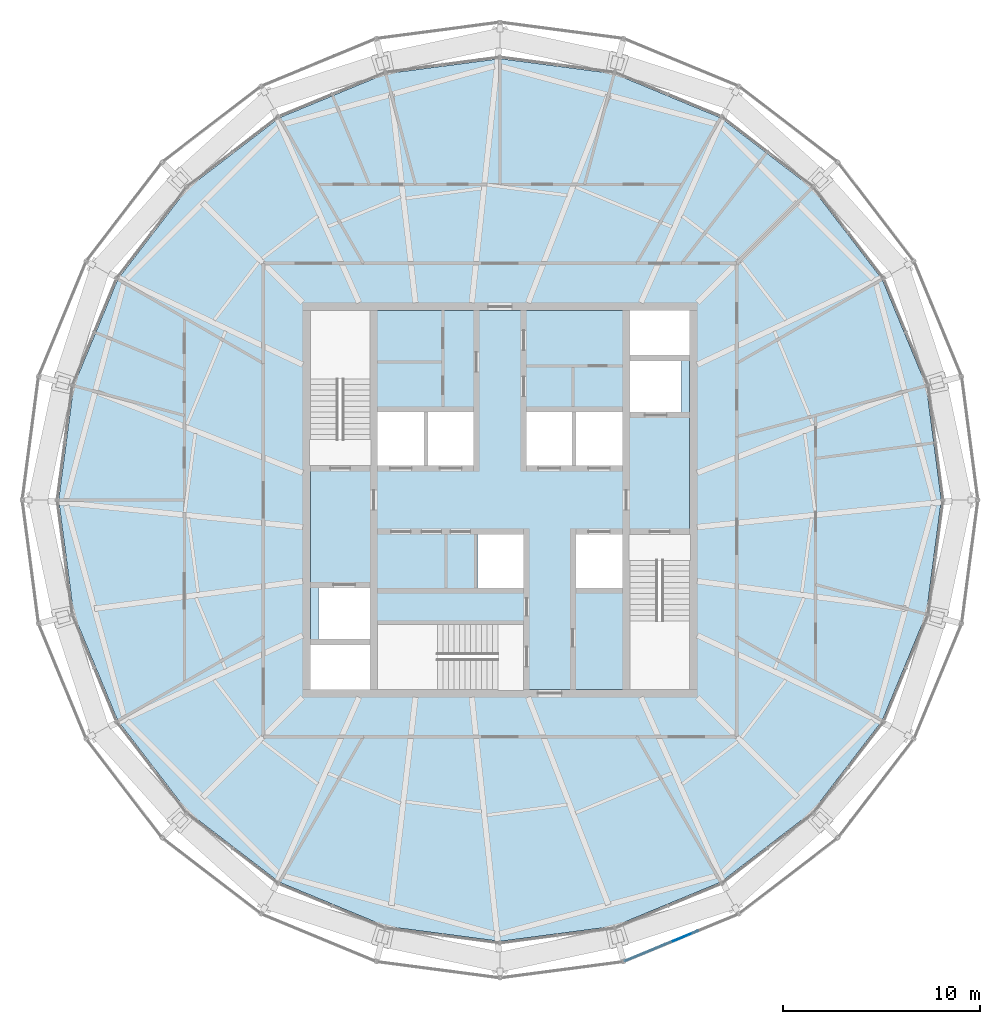
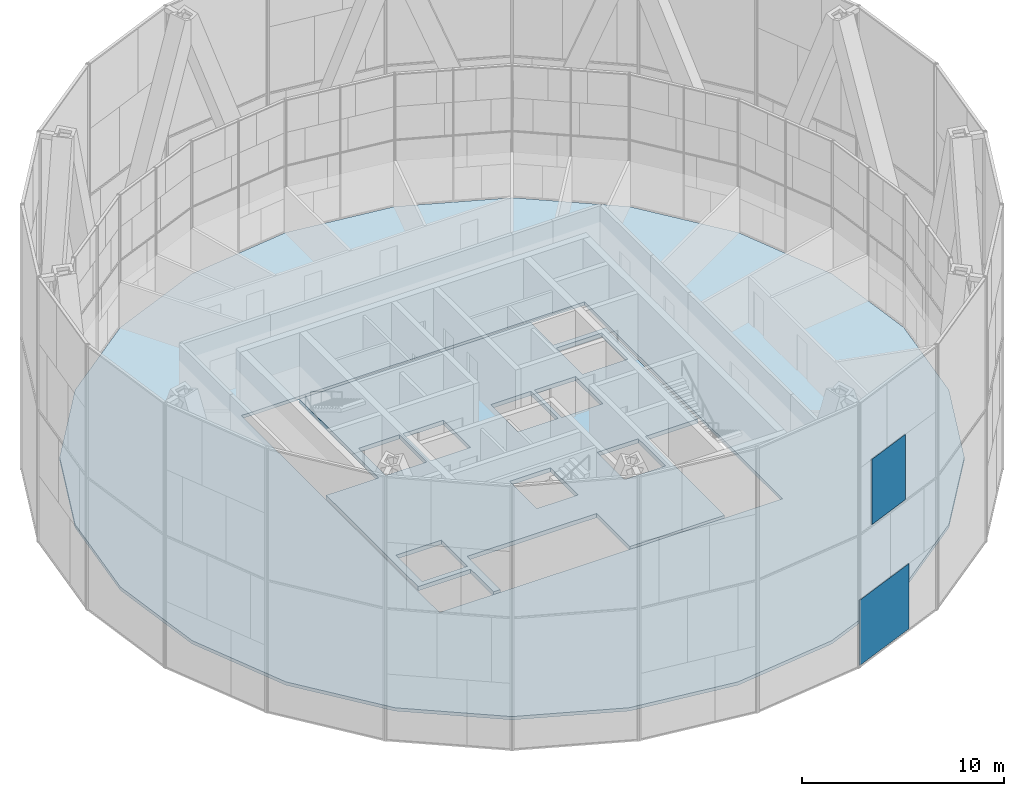
# One storey, part 12 of 22: 2 plates, 2 slabs, 1 element without a shape of its own.
"""IFC4 building model written with IfcOpenShell, lengths in metres."""

import ifcopenshell
import ifcopenshell.guid

model = None  # the IFC model being written
_history = None  # IfcOwnerHistory: only IFC2X3 demands one
_inside = {}  # id of a spatial element -> (the spatial element, [elements in it])
_under = {}  # id of a project, library or spatial element -> (it, [spatial elements below it])
_declared = {}  # id of a project -> (the project, [libraries it declares])
_typed = {}  # id of a type object -> (the type object, [elements of that type])
_made_of = {}  # id of a material, layer set ... -> (it, [elements and type objects made of it])


def new_model(schema):
    """Start an empty IFC model of exactly this schema.

    Asked for "IFC4X3", IfcOpenShell would pick the latest addendum, in which some entities
    have other attributes; the version numbers below select the first issue.
    IFC2X3 requires an IfcOwnerHistory on every rooted entity: one is made here for all.
    """
    global model, _history
    if schema == "IFC4X3":
        model = ifcopenshell.file(schema_version=(4, 3, 0, 0))
    else:
        model = ifcopenshell.file(schema=schema)
    _inside.clear()
    _under.clear()
    _declared.clear()
    _typed.clear()
    _made_of.clear()
    _history = None
    if model.schema == "IFC2X3":
        org = make("IfcOrganization", Name="unknown")
        user = make(
            "IfcPersonAndOrganization",
            ThePerson=make("IfcPerson", FamilyName="unknown"),
            TheOrganization=org,
        )
        app = make(
            "IfcApplication",
            ApplicationDeveloper=org,
            Version="unknown",
            ApplicationFullName="unknown",
            ApplicationIdentifier="unknown",
        )
        _history = make(
            "IfcOwnerHistory",
            OwningUser=user,
            OwningApplication=app,
            ChangeAction="ADDED",
            CreationDate=0,
        )
    return model


def make(cls, **values):
    """One entity of the class cls with the attributes given. An attribute that is None is left unset."""
    return model.create_entity(
        cls, **{name: value for name, value in values.items() if value is not None}
    )


def rooted(cls, **values):
    """An entity with a GlobalId (a new one), such as an element, a storey or a relation."""
    return make(cls, GlobalId=ifcopenshell.guid.new(), OwnerHistory=_history, **values)


def si_unit(unit_type, name, prefix=None):
    """IfcSIUnit, for example si_unit("LENGTHUNIT", "METRE", prefix="MILLI")."""
    return make("IfcSIUnit", UnitType=unit_type, Prefix=prefix, Name=name)


def assignment(units):
    """IfcUnitAssignment: the units of a project."""
    return None if units is None else make("IfcUnitAssignment", Units=units)


def point(xyz):
    """IfcCartesianPoint."""
    return None if xyz is None else make("IfcCartesianPoint", Coordinates=xyz)


def direction(xyz):
    """IfcDirection."""
    return None if xyz is None else make("IfcDirection", DirectionRatios=xyz)


def frame(location, z_axis=None, x_axis=None):
    """IfcAxis2Placement3D, a coordinate frame: its origin and axes. An axis left out is left unset."""
    return make(
        "IfcAxis2Placement3D",
        Location=point(location),
        Axis=direction(z_axis),
        RefDirection=direction(x_axis),
    )


def frame_2d(location, x_axis=None):
    """IfcAxis2Placement2D, a coordinate frame in the plane: its origin and x axis."""
    return make(
        "IfcAxis2Placement2D", Location=point(location), RefDirection=direction(x_axis)
    )


def origin():
    """The frame at (0, 0, 0) with its axes left unset."""
    return frame((0.0, 0.0, 0.0))


def origin_2d():
    """The frame at (0, 0) in the plane with its x axis left unset."""
    return frame_2d((0.0, 0.0))


def place(relative_to, where):
    """IfcLocalPlacement: puts the frame where relative to a parent placement (None: the world)."""
    return make(
        "IfcLocalPlacement", PlacementRelTo=relative_to, RelativePlacement=where
    )


def context(
    kind, dimensions, precision=None, world=None, true_north=None, identifier=None
):
    """IfcGeometricRepresentationContext, for example the 3D "Model" context."""
    return make(
        "IfcGeometricRepresentationContext",
        ContextIdentifier=identifier,
        ContextType=kind,
        CoordinateSpaceDimension=dimensions,
        Precision=precision,
        WorldCoordinateSystem=world,
        TrueNorth=true_north,
    )


def subcontext(parent, identifier, kind, view, scale=None):
    """IfcGeometricRepresentationSubContext, for example "Body" below "Model"."""
    return make(
        "IfcGeometricRepresentationSubContext",
        ContextIdentifier=identifier,
        ContextType=kind,
        ParentContext=parent,
        TargetScale=scale,
        TargetView=view,
    )


def project(units=None, contexts=None):
    """IfcProject with its units and contexts."""
    return rooted(
        "IfcProject",
        Name="project",
        RepresentationContexts=contexts,
        UnitsInContext=assignment(units),
    )


def spatial(cls, under=None, at=None, **own):
    """A site, building, storey or space (cls), placed at a placement, below another one or the project."""
    s = rooted(cls, ObjectPlacement=at, **own)
    if under is not None:
        _under.setdefault(under.id(), (under, []))[1].append(s)
    return s


def polyline(points):
    """IfcPolyline through the points."""
    return make("IfcPolyline", Points=[point(p) for p in points])


def profile(cls, at=None, kind="AREA", **sizes):
    """A parametric profile (cls). Its sizes go by their IFC names, for example OverallWidth=200.0."""
    return make(cls, ProfileType=kind, Position=at, **sizes)


def rectangle(**sizes):
    """IfcRectangleProfileDef."""
    return profile("IfcRectangleProfileDef", **sizes)


def outline(outer, holes=None, kind="AREA"):
    """IfcArbitraryClosedProfileDef: a profile drawn as a closed curve; with holes, ...WithVoids."""
    if holes is None:
        return make("IfcArbitraryClosedProfileDef", ProfileType=kind, OuterCurve=outer)
    return make(
        "IfcArbitraryProfileDefWithVoids",
        ProfileType=kind,
        OuterCurve=outer,
        InnerCurves=holes,
    )


def extrude(swept, where, along, depth):
    """IfcExtrudedAreaSolid: the profile swept, set in the frame where, extruded along a direction by depth."""
    return make(
        "IfcExtrudedAreaSolid",
        SweptArea=swept,
        Position=where,
        ExtrudedDirection=direction(along),
        Depth=depth,
    )


def shape(context_of_items, identifier, shape_type, items):
    """IfcShapeRepresentation: the items that make up one representation, for example the "Body"."""
    return make(
        "IfcShapeRepresentation",
        ContextOfItems=context_of_items,
        RepresentationIdentifier=identifier,
        RepresentationType=shape_type,
        Items=items,
    )


def material(Name=None, Category=None):
    """IfcMaterial."""
    return make("IfcMaterial", Name=Name, Category=Category)


def layer(
    of_material, thickness, ventilated=None, Name=None, Category=None, Priority=None
):
    """IfcMaterialLayer: one layer of a wall or slab, of a material (None: an air gap)."""
    return make(
        "IfcMaterialLayer",
        Material=of_material,
        LayerThickness=thickness,
        IsVentilated=ventilated,
        Name=Name,
        Category=Category,
        Priority=Priority,
    )


def layer_set(layers, Name=None):
    """IfcMaterialLayerSet."""
    return make("IfcMaterialLayerSet", MaterialLayers=layers, LayerSetName=Name)


def made_of(thing, what):
    """Note that an element or type object is made of a material, layer set ...; save() writes the relation."""
    if what is not None:
        _made_of.setdefault(what.id(), (what, []))[1].append(thing)
    return thing


def type_object(cls, material=None, **own):
    """A type object (cls), such as IfcWallType, which elements share."""
    return made_of(rooted(cls, **own), material)


def element(
    cls,
    number,
    at=None,
    inside=None,
    cuts=None,
    type_object=None,
    material=None,
    context=None,
    identifier="Body",
    shape_type=None,
    held_by="IfcProductDefinitionShape",
    body=None,
    shapes=None,
    **own,
):
    """One element of the class cls, such as IfcWall. Its Tag is "e" and its number.

    at: its placement. inside: the storey or other place that contains it. cuts: it is an
    opening in that element (IfcRelVoidsElement). A single representation is given by context,
    identifier, shape_type and body (its items); several are given by shapes. held_by: the class
    of the entity that holds the representations. save() writes the other relations.
    """
    e = rooted(cls, Tag="e%d" % number, ObjectPlacement=at, **own)
    if body is not None:
        shapes = [shape(context, identifier, shape_type, body)]
    if shapes is not None:
        e.Representation = make(held_by, Representations=shapes)
    if inside is not None:
        _inside.setdefault(inside.id(), (inside, []))[1].append(e)
    if cuts is not None:
        rooted(
            "IfcRelVoidsElement", RelatingBuildingElement=cuts, RelatedOpeningElement=e
        )
    if type_object is not None:
        _typed.setdefault(type_object.id(), (type_object, []))[1].append(e)
    return made_of(e, material)


def aggregate(whole, parts):
    """IfcRelAggregates: a whole, such as a stair, and the parts it consists of."""
    return rooted("IfcRelAggregates", RelatingObject=whole, RelatedObjects=parts)


def save(model, path):
    """Write the relations noted so far, then the file.

    IfcRelAggregates (storeys below a building ...), IfcRelContainedInSpatialStructure (elements
    in a storey), IfcRelDefinesByType, IfcRelAssociatesMaterial and IfcRelDeclares: one each for
    every whole, place, type object, material and project.
    """
    for whole, parts in _under.values():
        aggregate(whole, parts)
    for where, things in _inside.values():
        rooted(
            "IfcRelContainedInSpatialStructure",
            RelatedElements=things,
            RelatingStructure=where,
        )
    for kind, things in _typed.values():
        rooted("IfcRelDefinesByType", RelatedObjects=things, RelatingType=kind)
    for what, things in _made_of.values():
        rooted("IfcRelAssociatesMaterial", RelatedObjects=things, RelatingMaterial=what)
    for by, libraries in _declared.values():
        rooted("IfcRelDeclares", RelatingContext=by, RelatedDefinitions=libraries)
    model.write(path)


model = new_model("IFC4")

# Units and contexts
model_context = context("Model", 3, precision=1e-05, world=origin(), true_north=direction((0.0, 1.0)))
body_context = subcontext(model_context, "Body", "Model", "MODEL_VIEW")
ifc_project = project(units=[si_unit("LENGTHUNIT", "METRE"), si_unit("AREAUNIT", "SQUARE_METRE"), si_unit("VOLUMEUNIT", "CUBIC_METRE"), si_unit("PLANEANGLEUNIT", "RADIAN"), si_unit("MASSUNIT", "GRAM", prefix="KILO")], contexts=[model_context])

# Site, building, storey
site_placement = place(None, origin())
site = spatial("IfcSite", under=ifc_project, at=site_placement, CompositionType="ELEMENT")
building_placement = place(site_placement, origin())
building = spatial("IfcBuilding", under=site, at=building_placement, Name="Golbaran Civic Tower", CompositionType="ELEMENT")
storey_placement = place(building_placement, frame((0.0, 0.0, 248.0)))
storey = spatial("IfcBuildingStorey", under=building, at=storey_placement, Name="L60", CompositionType="ELEMENT", Elevation=248.0)

# Slabs
ifc_material_1 = material(Name="Concrete LC30/33 lightweight on steel deck", Category="concrete")
ifc_layer_1 = layer(ifc_material_1, 0.199951171875, Name="Concrete LC30/33 lightweight on steel deck")
ifc_layer_set_1 = layer_set([ifc_layer_1], Name="Concrete LC30/33 lightweight on steel deck")
slab_type_1 = type_object("IfcSlabType", Name="COMPOSITE FLOOR SLAB 200", PredefinedType="FLOOR", material=ifc_layer_set_1)
slab_1_placement = place(storey_placement, frame((0.0, 0.0, -0.199951171875)))
element("IfcSlab", 1, at=slab_1_placement, inside=storey, type_object=slab_type_1, Name="Floor slab L60", PredefinedType="FLOOR", context=body_context, shape_type="SweptSolid", body=[
    extrude(outline(polyline([(19.3740234375, -11.185546875), (15.81884765625, -15.81884765625), (11.185546875, -19.3740234375), (5.7900390625, -21.609130859375), (0.0, -22.371337890625), (-5.7900390625, -21.609130859375), (-11.185546875, -19.3740234375), (-15.81884765625, -15.81884765625), (-19.3740234375, -11.185546875), (-21.609130859375, -5.7900390625), (-22.371337890625, 0.0), (-21.609130859375, 5.7900390625), (-19.3740234375, 11.185546875), (-15.81884765625, 15.81884765625), (-11.185546875, 19.3740234375), (-5.7900390625, 21.609130859375), (0.0, 22.371337890625), (5.7900390625, 21.609130859375), (11.185546875, 19.3740234375), (15.81884765625, 15.81884765625), (19.3740234375, 11.185546875), (21.609130859375, 5.7900390625), (22.371337890625, 0.0), (21.609130859375, -5.7900390625), (19.3740234375, -11.185546875)]), holes=[polyline([(-9.800048828125, 9.800048828125), (-9.800048828125, -9.800048828125), (9.800048828125, -9.800048828125), (9.800048828125, 9.800048828125), (-9.800048828125, 9.800048828125)])]), origin(), (0.0, 0.0, 1.0), 0.199951171875),
])
ifc_material_2 = material(Name="Concrete C35/45", Category="concrete")
ifc_layer_2 = layer(ifc_material_2, 0.25, Name="Concrete C35/45")
ifc_layer_set_2 = layer_set([ifc_layer_2], Name="Concrete C35/45")
slab_type_2 = type_object("IfcSlabType", Name="CORE FLOOR SLAB 250", PredefinedType="FLOOR", material=ifc_layer_set_2)
slab_2_placement = place(storey_placement, frame((0.0, 0.0, -0.25)))
element("IfcSlab", 2, at=slab_2_placement, inside=storey, type_object=slab_type_2, Name="Core floor slab L60", PredefinedType="FLOOR", context=body_context, shape_type="SweptSolid", body=[
    extrude(outline(polyline([(6.60009765625, -1.75), (6.60009765625, -9.60009765625), (1.199951171875, -9.60009765625), (1.199951171875, -6.300048828125), (-6.199951171875, -6.300048828125), (-6.199951171875, -9.60009765625), (-6.60009765625, -9.60009765625), (-6.60009765625, -7.35009765625), (-9.60009765625, -7.35009765625), (-9.60009765625, 1.75), (-6.60009765625, 1.75), (-6.60009765625, 9.60009765625), (6.60009765625, 9.60009765625), (6.60009765625, 7.35009765625), (9.60009765625, 7.35009765625), (9.60009765625, -1.75), (6.60009765625, -1.75)]), holes=[polyline([(9.199951171875, 7.050048828125), (6.60009765625, 7.050048828125), (6.60009765625, 4.449951171875), (9.199951171875, 4.449951171875), (9.199951171875, 7.050048828125)]), polyline([(6.199951171875, -1.75), (3.85009765625, -1.75), (3.85009765625, -4.449951171875), (6.199951171875, -4.449951171875), (6.199951171875, -1.75)]), polyline([(6.199951171875, 4.449951171875), (3.85009765625, 4.449951171875), (3.85009765625, 1.75), (6.199951171875, 1.75), (6.199951171875, 4.449951171875)]), polyline([(3.64990234375, 4.449951171875), (1.35009765625, 4.449951171875), (1.35009765625, 1.75), (3.64990234375, 1.75), (3.64990234375, 4.449951171875)]), polyline([(-1.14990234375, -1.75), (-1.14990234375, -4.449951171875), (1.199951171875, -4.449951171875), (1.199951171875, -1.75), (-1.14990234375, -1.75)]), polyline([(-1.35009765625, 4.449951171875), (-3.64990234375, 4.449951171875), (-3.64990234375, 1.75), (-1.35009765625, 1.75), (-1.35009765625, 4.449951171875)]), polyline([(-3.85009765625, 4.449951171875), (-6.199951171875, 4.449951171875), (-6.199951171875, 1.75), (-3.85009765625, 1.75), (-3.85009765625, 4.449951171875)]), polyline([(-6.60009765625, -4.449951171875), (-9.199951171875, -4.449951171875), (-9.199951171875, -7.050048828125), (-6.60009765625, -7.050048828125), (-6.60009765625, -4.449951171875)])]), origin(), (0.0, 0.0, 1.0), 0.25),
])

# Curtain wall, plates
ifc_material_3 = material(Name="Aluminium and glass", Category="aluminium")
curtain_wall_type = type_object("IfcCurtainWallType", Name="OUTER SKIN TERRACOTTA SCREEN", PredefinedType="NOTDEFINED", material=ifc_material_3)
curtain_wall_placement = place(storey_placement, origin())
curtain_wall = element("IfcCurtainWall", 3, at=curtain_wall_placement, inside=storey, type_object=curtain_wall_type, Name="Outer skin L60 facet 20 CW3", ObjectType="OUTER SKIN", PredefinedType="USERDEFINED")
ifc_material_4 = material(Name="Clear laminated glass", Category="glass")
ifc_layer_3 = layer(ifc_material_4, 0.0400390625, Name="Clear laminated glass")
ifc_layer_set_3 = layer_set([ifc_layer_3], Name="Clear laminated glass")
plate_type_1 = type_object("IfcPlateType", Name="OUTER SKIN CLEAR GLASS PANEL", PredefinedType="CURTAIN_PANEL", material=ifc_layer_set_3)
plate_1_placement = place(storey_placement, frame((8.193359375, -22.6005859375, -0.6298828125), z_axis=(0.0, 0.0, 1.0), x_axis=(0.923879532518, 0.382683432349, 0.0)))
plate_1 = element("IfcPlate", 4, at=plate_1_placement, type_object=plate_type_1, Name="CW3 panel 1.1 part 1", PredefinedType="CURTAIN_PANEL", context=body_context, shape_type="SweptSolid", body=[
    extrude(rectangle(XDim=4.0048828125, YDim=0.0400390625, at=origin_2d()), origin(), (0.0, 0.0, 1.0), 3.93994140625),
])
ifc_material_5 = material(Name="Terracotta baguette screen", Category="masonry")
ifc_layer_4 = layer(ifc_material_5, 0.0400390625, Name="Terracotta baguette screen")
ifc_layer_set_4 = layer_set([ifc_layer_4], Name="Terracotta baguette screen")
plate_type_2 = type_object("IfcPlateType", Name="OUTER SKIN TERRACOTTA INFILL PANEL", PredefinedType="CURTAIN_PANEL", material=ifc_layer_set_4)
plate_2_placement = place(storey_placement, frame((8.51708984375, -22.466552734375, 7.330078125), z_axis=(0.0, 0.0, 1.0), x_axis=(0.923879532518, 0.382683432349, 0.0)))
plate_2 = element("IfcPlate", 5, at=plate_2_placement, type_object=plate_type_2, Name="CW3 infill panel 1.2 part 2", PredefinedType="CURTAIN_PANEL", context=body_context, shape_type="SweptSolid", body=[
    extrude(rectangle(XDim=2.716064453125, YDim=0.0400390625, at=origin_2d()), origin(), (0.0, 0.0, 1.0), 3.93994140625),
])
aggregate(curtain_wall, [plate_1, plate_2])

save(model, "model.ifc")
